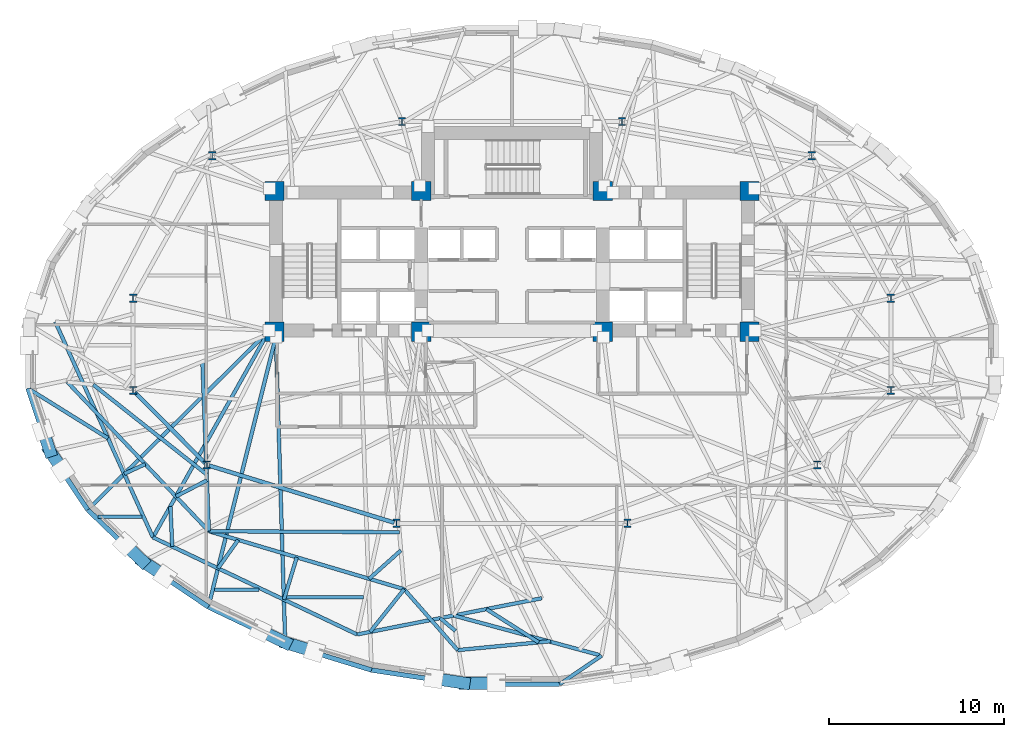
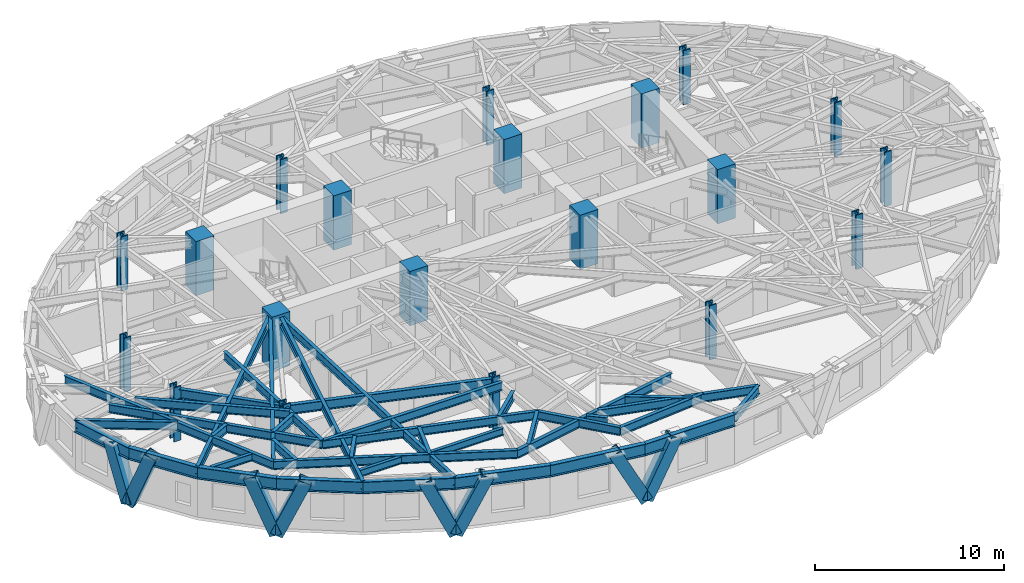
# One storey, part 1 of 14: 39 beams, 20 columns, 8 members.
"""IFC4 building model written with IfcOpenShell, lengths in metres."""

import ifcopenshell
import ifcopenshell.guid

model = None  # the IFC model being written
_history = None  # IfcOwnerHistory: only IFC2X3 demands one
_inside = {}  # id of a spatial element -> (the spatial element, [elements in it])
_under = {}  # id of a project, library or spatial element -> (it, [spatial elements below it])
_declared = {}  # id of a project -> (the project, [libraries it declares])
_typed = {}  # id of a type object -> (the type object, [elements of that type])
_made_of = {}  # id of a material, layer set ... -> (it, [elements and type objects made of it])


def new_model(schema):
    """Start an empty IFC model of exactly this schema.

    Asked for "IFC4X3", IfcOpenShell would pick the latest addendum, in which some entities
    have other attributes; the version numbers below select the first issue.
    IFC2X3 requires an IfcOwnerHistory on every rooted entity: one is made here for all.
    """
    global model, _history
    if schema == "IFC4X3":
        model = ifcopenshell.file(schema_version=(4, 3, 0, 0))
    else:
        model = ifcopenshell.file(schema=schema)
    _inside.clear()
    _under.clear()
    _declared.clear()
    _typed.clear()
    _made_of.clear()
    _history = None
    if model.schema == "IFC2X3":
        org = make("IfcOrganization", Name="unknown")
        user = make(
            "IfcPersonAndOrganization",
            ThePerson=make("IfcPerson", FamilyName="unknown"),
            TheOrganization=org,
        )
        app = make(
            "IfcApplication",
            ApplicationDeveloper=org,
            Version="unknown",
            ApplicationFullName="unknown",
            ApplicationIdentifier="unknown",
        )
        _history = make(
            "IfcOwnerHistory",
            OwningUser=user,
            OwningApplication=app,
            ChangeAction="ADDED",
            CreationDate=0,
        )
    return model


def make(cls, **values):
    """One entity of the class cls with the attributes given. An attribute that is None is left unset."""
    return model.create_entity(
        cls, **{name: value for name, value in values.items() if value is not None}
    )


def rooted(cls, **values):
    """An entity with a GlobalId (a new one), such as an element, a storey or a relation."""
    return make(cls, GlobalId=ifcopenshell.guid.new(), OwnerHistory=_history, **values)


def si_unit(unit_type, name, prefix=None):
    """IfcSIUnit, for example si_unit("LENGTHUNIT", "METRE", prefix="MILLI")."""
    return make("IfcSIUnit", UnitType=unit_type, Prefix=prefix, Name=name)


def assignment(units):
    """IfcUnitAssignment: the units of a project."""
    return None if units is None else make("IfcUnitAssignment", Units=units)


def point(xyz):
    """IfcCartesianPoint."""
    return None if xyz is None else make("IfcCartesianPoint", Coordinates=xyz)


def direction(xyz):
    """IfcDirection."""
    return None if xyz is None else make("IfcDirection", DirectionRatios=xyz)


def frame(location, z_axis=None, x_axis=None):
    """IfcAxis2Placement3D, a coordinate frame: its origin and axes. An axis left out is left unset."""
    return make(
        "IfcAxis2Placement3D",
        Location=point(location),
        Axis=direction(z_axis),
        RefDirection=direction(x_axis),
    )


def frame_2d(location, x_axis=None):
    """IfcAxis2Placement2D, a coordinate frame in the plane: its origin and x axis."""
    return make(
        "IfcAxis2Placement2D", Location=point(location), RefDirection=direction(x_axis)
    )


def origin():
    """The frame at (0, 0, 0) with its axes left unset."""
    return frame((0.0, 0.0, 0.0))


def origin_2d():
    """The frame at (0, 0) in the plane with its x axis left unset."""
    return frame_2d((0.0, 0.0))


def place(relative_to, where):
    """IfcLocalPlacement: puts the frame where relative to a parent placement (None: the world)."""
    return make(
        "IfcLocalPlacement", PlacementRelTo=relative_to, RelativePlacement=where
    )


def context(
    kind, dimensions, precision=None, world=None, true_north=None, identifier=None
):
    """IfcGeometricRepresentationContext, for example the 3D "Model" context."""
    return make(
        "IfcGeometricRepresentationContext",
        ContextIdentifier=identifier,
        ContextType=kind,
        CoordinateSpaceDimension=dimensions,
        Precision=precision,
        WorldCoordinateSystem=world,
        TrueNorth=true_north,
    )


def subcontext(parent, identifier, kind, view, scale=None):
    """IfcGeometricRepresentationSubContext, for example "Body" below "Model"."""
    return make(
        "IfcGeometricRepresentationSubContext",
        ContextIdentifier=identifier,
        ContextType=kind,
        ParentContext=parent,
        TargetScale=scale,
        TargetView=view,
    )


def project(units=None, contexts=None):
    """IfcProject with its units and contexts."""
    return rooted(
        "IfcProject",
        Name="project",
        RepresentationContexts=contexts,
        UnitsInContext=assignment(units),
    )


def spatial(cls, under=None, at=None, **own):
    """A site, building, storey or space (cls), placed at a placement, below another one or the project."""
    s = rooted(cls, ObjectPlacement=at, **own)
    if under is not None:
        _under.setdefault(under.id(), (under, []))[1].append(s)
    return s


def profile(cls, at=None, kind="AREA", **sizes):
    """A parametric profile (cls). Its sizes go by their IFC names, for example OverallWidth=200.0."""
    return make(cls, ProfileType=kind, Position=at, **sizes)


def rectangle(**sizes):
    """IfcRectangleProfileDef."""
    return profile("IfcRectangleProfileDef", **sizes)


def hollow_rectangle(**sizes):
    """IfcRectangleHollowProfileDef."""
    return profile("IfcRectangleHollowProfileDef", **sizes)


def i_section(**sizes):
    """IfcIShapeProfileDef."""
    return profile("IfcIShapeProfileDef", **sizes)


def extrude(swept, where, along, depth):
    """IfcExtrudedAreaSolid: the profile swept, set in the frame where, extruded along a direction by depth."""
    return make(
        "IfcExtrudedAreaSolid",
        SweptArea=swept,
        Position=where,
        ExtrudedDirection=direction(along),
        Depth=depth,
    )


def shape(context_of_items, identifier, shape_type, items):
    """IfcShapeRepresentation: the items that make up one representation, for example the "Body"."""
    return make(
        "IfcShapeRepresentation",
        ContextOfItems=context_of_items,
        RepresentationIdentifier=identifier,
        RepresentationType=shape_type,
        Items=items,
    )


def material(Name=None, Category=None):
    """IfcMaterial."""
    return make("IfcMaterial", Name=Name, Category=Category)


def material_profile(
    of_material, cross_section, Name=None, Category=None, Priority=None
):
    """IfcMaterialProfile: a cross section and its material."""
    return make(
        "IfcMaterialProfile",
        Name=Name,
        Material=of_material,
        Profile=cross_section,
        Priority=Priority,
        Category=Category,
    )


def profile_set(profiles, Name=None, composite=None):
    """IfcMaterialProfileSet."""
    return make(
        "IfcMaterialProfileSet",
        Name=Name,
        MaterialProfiles=profiles,
        CompositeProfile=composite,
    )


def made_of(thing, what):
    """Note that an element or type object is made of a material, layer set ...; save() writes the relation."""
    if what is not None:
        _made_of.setdefault(what.id(), (what, []))[1].append(thing)
    return thing


def type_object(cls, material=None, **own):
    """A type object (cls), such as IfcWallType, which elements share."""
    return made_of(rooted(cls, **own), material)


def element(
    cls,
    number,
    at=None,
    inside=None,
    cuts=None,
    type_object=None,
    material=None,
    context=None,
    identifier="Body",
    shape_type=None,
    held_by="IfcProductDefinitionShape",
    body=None,
    shapes=None,
    **own,
):
    """One element of the class cls, such as IfcWall. Its Tag is "e" and its number.

    at: its placement. inside: the storey or other place that contains it. cuts: it is an
    opening in that element (IfcRelVoidsElement). A single representation is given by context,
    identifier, shape_type and body (its items); several are given by shapes. held_by: the class
    of the entity that holds the representations. save() writes the other relations.
    """
    e = rooted(cls, Tag="e%d" % number, ObjectPlacement=at, **own)
    if body is not None:
        shapes = [shape(context, identifier, shape_type, body)]
    if shapes is not None:
        e.Representation = make(held_by, Representations=shapes)
    if inside is not None:
        _inside.setdefault(inside.id(), (inside, []))[1].append(e)
    if cuts is not None:
        rooted(
            "IfcRelVoidsElement", RelatingBuildingElement=cuts, RelatedOpeningElement=e
        )
    if type_object is not None:
        _typed.setdefault(type_object.id(), (type_object, []))[1].append(e)
    return made_of(e, material)


def aggregate(whole, parts):
    """IfcRelAggregates: a whole, such as a stair, and the parts it consists of."""
    return rooted("IfcRelAggregates", RelatingObject=whole, RelatedObjects=parts)


def save(model, path):
    """Write the relations noted so far, then the file.

    IfcRelAggregates (storeys below a building ...), IfcRelContainedInSpatialStructure (elements
    in a storey), IfcRelDefinesByType, IfcRelAssociatesMaterial and IfcRelDeclares: one each for
    every whole, place, type object, material and project.
    """
    for whole, parts in _under.values():
        aggregate(whole, parts)
    for where, things in _inside.values():
        rooted(
            "IfcRelContainedInSpatialStructure",
            RelatedElements=things,
            RelatingStructure=where,
        )
    for kind, things in _typed.values():
        rooted("IfcRelDefinesByType", RelatedObjects=things, RelatingType=kind)
    for what, things in _made_of.values():
        rooted("IfcRelAssociatesMaterial", RelatedObjects=things, RelatingMaterial=what)
    for by, libraries in _declared.values():
        rooted("IfcRelDeclares", RelatingContext=by, RelatedDefinitions=libraries)
    model.write(path)


model = new_model("IFC4")

# Units and contexts
model_context = context("Model", 3, precision=1e-05, world=origin(), true_north=direction((0.0, 1.0)))
body_context = subcontext(model_context, "Body", "Model", "MODEL_VIEW")
ifc_project = project(units=[si_unit("LENGTHUNIT", "METRE"), si_unit("AREAUNIT", "SQUARE_METRE"), si_unit("VOLUMEUNIT", "CUBIC_METRE"), si_unit("PLANEANGLEUNIT", "RADIAN"), si_unit("MASSUNIT", "GRAM", prefix="KILO")], contexts=[model_context])

# Site, building, storey
site_placement = place(None, origin())
site = spatial("IfcSite", under=ifc_project, at=site_placement, CompositionType="ELEMENT")
building_placement = place(site_placement, origin())
building = spatial("IfcBuilding", under=site, at=building_placement, Name="Keldmark Tower", CompositionType="ELEMENT")
storey_placement = place(building_placement, frame((0.0, 0.0, 103.60009765625)))
storey = spatial("IfcBuildingStorey", under=building, at=storey_placement, Name="L27", CompositionType="ELEMENT", Elevation=103.60009765625)

# Columns
ifc_material_1 = material(Name="Concrete C70/85", Category="concrete")
ifc_material_profile_1 = material_profile(ifc_material_1, rectangle(XDim=1.10009765625, YDim=1.10009765625, at=origin_2d()), Name="RC1100X1100")
ifc_profile_set_1 = profile_set([ifc_material_profile_1], Name="Concrete C70/85")
column_type_1 = type_object("IfcColumnType", Name="Core Boundary Column RC1100", PredefinedType="COLUMN", material=ifc_profile_set_1)
for number, where, z_axis, x_axis, name in (
    (1, (-13.60009765625, 1.39990234375, 0.0), (0.0, 0.0, 1.0), (1.0, 0.0, 0.0), "L27 Core Boundary Column CC-W1"),
    (2, (-13.60009765625, 9.449951171875, 0.0), (0.0, 0.0, 1.0), (1.0, 0.0, 0.0), "L27 Core Boundary Column CC-W2"),
    (3, (-5.199951171875, 1.39990234375, 0.0), (0.0, 0.0, 1.0), (1.0, 0.0, 0.0), "L27 Core Boundary Column CC-W3"),
    (4, (-5.199951171875, 9.449951171875, 0.0), (0.0, 0.0, 1.0), (1.0, 0.0, 0.0), "L27 Core Boundary Column CC-W4"),
    (5, (5.199951171875, 1.39990234375, 0.0), (0.0, 0.0, 1.0), (1.0, 0.0, 0.0), "L27 Core Boundary Column CC-E1"),
    (6, (5.199951171875, 9.449951171875, 0.0), (0.0, 0.0, 1.0), (1.0, 0.0, 0.0), "L27 Core Boundary Column CC-E2"),
    (7, (13.60009765625, 1.39990234375, 0.0), (0.0, 0.0, 1.0), (1.0, 0.0, 0.0), "L27 Core Boundary Column CC-E3"),
    (8, (13.60009765625, 9.449951171875, 0.0), (0.0, 0.0, 1.0), (1.0, 0.0, 0.0), "L27 Core Boundary Column CC-E4"),
):
    element("IfcColumn", number, at=place(storey_placement, frame(where, z_axis=z_axis, x_axis=x_axis)), inside=storey, type_object=column_type_1, Name=name, PredefinedType="COLUMN", context=body_context, shape_type="SweptSolid", body=[
        extrude(rectangle(XDim=1.10009765625, YDim=1.10009765625, at=origin_2d()), origin(), (0.0, 0.0, 1.0), 3.5),
    ])
ifc_material_2 = material(Name="Steel ASTM A992 Grade 50", Category="steel")
ifc_material_profile_2 = material_profile(ifc_material_2, i_section(OverallWidth=0.424072265625, OverallDepth=0.47412109375, WebThickness=0.047607421875, FlangeThickness=0.0771484375, at=origin_2d()), Name="W14X426")
ifc_profile_set_2 = profile_set([ifc_material_profile_2], Name="Steel ASTM A992 Grade 50")
column_type_2 = type_object("IfcColumnType", Name="Tower Gravity Column W14X426", PredefinedType="COLUMN", material=ifc_profile_set_2)
for number, where, z_axis, x_axis, name in (
    (9, (21.697021484375, 3.309814453125, 0.0), (0.0, 0.0, 1.0), (1.0, 0.0, 0.0), "L27 Tower Gravity Column TC-E1"),
    (10, (17.1669921875, 11.478271484375, 0.0), (0.0, 0.0, 1.0), (1.0, 0.0, 0.0), "L27 Tower Gravity Column TC-E4"),
    (11, (6.298828125, 13.4326171875, 0.0), (0.0, 0.0, 1.0), (1.0, 0.0, 0.0), "L27 Tower Gravity Column TC-N2"),
    (12, (-6.298828125, 13.4326171875, 0.0), (0.0, 0.0, 1.0), (1.0, 0.0, 0.0), "L27 Tower Gravity Column TC-N1"),
    (13, (-17.1669921875, 11.478271484375, 0.0), (0.0, 0.0, 1.0), (1.0, 0.0, 0.0), "L27 Tower Gravity Column TC-W4"),
    (14, (-21.697021484375, 3.309814453125, 0.0), (0.0, 0.0, 1.0), (1.0, 0.0, 0.0), "L27 Tower Gravity Column TC-W1"),
    (15, (-21.697021484375, -1.9658203125, 0.0), (0.0, 0.0, 1.0), (1.0, 0.0, 0.0), "L27 Tower Gravity Column TC-W5"),
    (16, (-17.477294921875, -6.2294921875, 0.0), (0.0, 0.0, 1.0), (1.0, 0.0, 0.0), "L27 Tower Gravity Column TC-W2"),
    (17, (-6.61279296875, -9.579345703125, 0.0), (0.0, 0.0, 1.0), (1.0, 0.0, 0.0), "L27 Tower Gravity Column TC-W3"),
    (18, (6.61279296875, -9.579345703125, 0.0), (0.0, 0.0, 1.0), (1.0, 0.0, 0.0), "L27 Tower Gravity Column TC-E3"),
    (19, (17.477294921875, -6.2294921875, 0.0), (0.0, 0.0, 1.0), (1.0, 0.0, 0.0), "L27 Tower Gravity Column TC-E2"),
    (20, (21.697021484375, -1.9658203125, 0.0), (0.0, 0.0, 1.0), (1.0, 0.0, 0.0), "L27 Tower Gravity Column TC-E5"),
):
    element("IfcColumn", number, at=place(storey_placement, frame(where, z_axis=z_axis, x_axis=x_axis)), inside=storey, type_object=column_type_2, Name=name, PredefinedType="COLUMN", context=body_context, shape_type="SweptSolid", body=[
        extrude(i_section(OverallWidth=0.424072265625, OverallDepth=0.47412109375, WebThickness=0.047607421875, FlangeThickness=0.0771484375, at=origin_2d()), origin(), (0.0, 0.0, 1.0), 3.5),
    ])

# Beams
ifc_material_3 = material(Name="Steel ASTM A992 Grade 50", Category="steel")
ifc_material_profile_3 = material_profile(ifc_material_3, i_section(OverallWidth=0.19091796875, OverallDepth=0.45703125, WebThickness=0.009033203125, FlangeThickness=0.014404296875, at=origin_2d()), Name="W18X50")
ifc_profile_set_3 = profile_set([ifc_material_profile_3], Name="Steel ASTM A992 Grade 50")
beam_type_1 = type_object("IfcBeamType", Name="Composite Floor Joist W18X50", PredefinedType="JOIST", material=ifc_profile_set_3)
beam_1_placement = place(storey_placement, frame((-17.044677734375, -13.3798828125, 3.081298828125), z_axis=(1.0, 0.0, 0.0), x_axis=(0.0, 1.0, 0.0)))
element("IfcBeam", 21, at=beam_1_placement, inside=storey, type_object=beam_type_1, Name="L27 Composite Floor Joist J01", PredefinedType="JOIST", context=body_context, shape_type="SweptSolid", body=[
    extrude(i_section(OverallWidth=0.19091796875, OverallDepth=0.45703125, WebThickness=0.009033203125, FlangeThickness=0.014404296875, at=origin_2d()), origin(), (0.0, 0.0, 1.0), 2.5625),
])
beam_2_placement = place(storey_placement, frame((-12.91748046875, -13.800048828125, 3.081298828125), z_axis=(1.0, 0.0, 0.0), x_axis=(0.0, 1.0, 0.0)))
element("IfcBeam", 22, at=beam_2_placement, inside=storey, type_object=beam_type_1, Name="L27 Composite Floor Joist J02", PredefinedType="JOIST", context=body_context, shape_type="SweptSolid", body=[
    extrude(i_section(OverallWidth=0.19091796875, OverallDepth=0.45703125, WebThickness=0.009033203125, FlangeThickness=0.014404296875, at=origin_2d()), origin(), (0.0, 0.0, 1.0), 4.411376953125),
])
beam_3_placement = place(storey_placement, frame((-23.697265625, -9.199951171875, 3.081298828125), z_axis=(1.0, 0.0, 0.0), x_axis=(0.0, 1.0, 0.0)))
element("IfcBeam", 23, at=beam_3_placement, inside=storey, type_object=beam_type_1, Name="L27 Composite Floor Joist J03", PredefinedType="JOIST", context=body_context, shape_type="SweptSolid", body=[
    extrude(i_section(OverallWidth=0.19091796875, OverallDepth=0.45703125, WebThickness=0.009033203125, FlangeThickness=0.014404296875, at=origin_2d()), origin(), (0.0, 0.0, 1.0), 2.493896484375),
])

# Members
ifc_material_4 = material(Name="Steel ASTM A572 Grade 50", Category="steel")
ifc_material_profile_4 = material_profile(ifc_material_4, hollow_rectangle(XDim=0.699951171875, YDim=0.699951171875, WallThickness=0.044921875, at=origin_2d()), Name="BOX700X700X45")
ifc_profile_set_4 = profile_set([ifc_material_profile_4], Name="Steel ASTM A572 Grade 50")
member_type = type_object("IfcMemberType", Name="Diagrid Zone 2 Brace BOX700X700X45", PredefinedType="BRACE", material=ifc_profile_set_4)
member_1_placement = place(storey_placement, frame((-26.462890625, -5.4482421875, -0.27001953125), z_axis=(-0.107952872963, 0.326045509503, 0.939170113958), x_axis=(-0.94931811266, -0.314316911692, 0.0)))
element("IfcMember", 24, at=member_1_placement, inside=storey, type_object=member_type, Name="L27 Perimeter Diagrid Brace 09A", PredefinedType="BRACE", context=body_context, shape_type="SweptSolid", body=[
    extrude(hollow_rectangle(XDim=0.699951171875, YDim=0.699951171875, WallThickness=0.044921875, at=origin_2d()), origin(), (0.0, 0.0, 1.0), 3.68408203125),
])
member_2_placement = place(storey_placement, frame((-26.46533203125, -5.436767578125, -0.27001953125), z_axis=(0.200341239284, -0.300742136213, 0.932425629929), x_axis=(0.832246318765, 0.554406046957, 0.0)))
element("IfcMember", 25, at=member_2_placement, inside=storey, type_object=member_type, Name="L27 Perimeter Diagrid Brace 09B", PredefinedType="BRACE", context=body_context, shape_type="SweptSolid", body=[
    extrude(hollow_rectangle(XDim=0.699951171875, YDim=0.699951171875, WallThickness=0.044921875, at=origin_2d()), origin(), (0.0, 0.0, 1.0), 3.710693359375),
])
member_3_placement = place(storey_placement, frame((-21.13671875, -11.76025390625, -0.27001953125), z_axis=(-0.276144933571, 0.265716991779, 0.923654944199), x_axis=(-0.693370375166, -0.720581378362, 0.0)))
element("IfcMember", 26, at=member_3_placement, inside=storey, type_object=member_type, Name="L27 Perimeter Diagrid Brace 10A", PredefinedType="BRACE", context=body_context, shape_type="SweptSolid", body=[
    extrude(hollow_rectangle(XDim=0.699951171875, YDim=0.699951171875, WallThickness=0.044921875, at=origin_2d()), origin(), (0.0, 0.0, 1.0), 3.745849609375),
])
member_4_placement = place(storey_placement, frame((-21.143310546875, -11.75048828125, -0.27001953125), z_axis=(0.334798050685, -0.226898601813, 0.914563988878), x_axis=(0.561017482362, 0.827803952928, 0.0)))
element("IfcMember", 27, at=member_4_placement, inside=storey, type_object=member_type, Name="L27 Perimeter Diagrid Brace 10B", PredefinedType="BRACE", context=body_context, shape_type="SweptSolid", body=[
    extrude(hollow_rectangle(XDim=0.699951171875, YDim=0.699951171875, WallThickness=0.044921875, at=origin_2d()), origin(), (0.0, 0.0, 1.0), 3.783203125),
])
member_5_placement = place(storey_placement, frame((-12.94677734375, -16.421630859375, -0.27001953125), z_axis=(-0.384014962148, 0.183387258279, 0.904931832984), x_axis=(-0.430935108563, -0.902382918836, 0.0)))
element("IfcMember", 28, at=member_5_placement, inside=storey, type_object=member_type, Name="L27 Perimeter Diagrid Brace 11A", PredefinedType="BRACE", context=body_context, shape_type="SweptSolid", body=[
    extrude(hollow_rectangle(XDim=0.699951171875, YDim=0.699951171875, WallThickness=0.044921875, at=origin_2d()), origin(), (0.0, 0.0, 1.0), 3.823486328125),
])
member_6_placement = place(storey_placement, frame((-12.95654296875, -16.415283203125, -0.27001953125), z_axis=(0.426031471632, -0.13032368416, 0.89527254092), x_axis=(0.292521121678, 0.956259061851, 0.0)))
element("IfcMember", 29, at=member_6_placement, inside=storey, type_object=member_type, Name="L27 Perimeter Diagrid Brace 11B", PredefinedType="BRACE", context=body_context, shape_type="SweptSolid", body=[
    extrude(hollow_rectangle(XDim=0.699951171875, YDim=0.699951171875, WallThickness=0.044921875, at=origin_2d()), origin(), (0.0, 0.0, 1.0), 3.86474609375),
])
member_7_placement = place(storey_placement, frame((-2.71240234375, -18.73095703125, -0.27001953125), z_axis=(-0.454742835075, 0.069170031679, 0.887932689265), x_axis=(-0.150378326098, -0.98862852429, 0.0)))
element("IfcMember", 30, at=member_7_placement, inside=storey, type_object=member_type, Name="L27 Perimeter Diagrid Brace 12A", PredefinedType="BRACE", context=body_context, shape_type="SweptSolid", body=[
    extrude(hollow_rectangle(XDim=0.699951171875, YDim=0.699951171875, WallThickness=0.044921875, at=origin_2d()), origin(), (0.0, 0.0, 1.0), 3.896728515625),
])
member_8_placement = place(storey_placement, frame((-2.723876953125, -18.728759765625, -0.27001953125), z_axis=(0.465504471346, 0.0, 0.885045528296), x_axis=(0.0, 1.0, 0.0)))
element("IfcMember", 31, at=member_8_placement, inside=storey, type_object=member_type, Name="L27 Perimeter Diagrid Brace 12B", PredefinedType="BRACE", context=body_context, shape_type="SweptSolid", body=[
    extrude(hollow_rectangle(XDim=0.699951171875, YDim=0.699951171875, WallThickness=0.044921875, at=origin_2d()), origin(), (0.0, 0.0, 1.0), 3.909423828125),
])

# Beams
ifc_material_5 = material(Name="Steel ASTM A992 Grade 50", Category="steel")
ifc_material_profile_5 = material_profile(ifc_material_5, i_section(OverallWidth=0.22900390625, OverallDepth=0.612060546875, WebThickness=0.011962890625, FlangeThickness=0.01953125, at=origin_2d()), Name="W24X84")
ifc_profile_set_5 = profile_set([ifc_material_profile_5], Name="Steel ASTM A992 Grade 50")
beam_type_2 = type_object("IfcBeamType", Name="Primary Floor Girder W24X84", PredefinedType="BEAM", material=ifc_profile_set_5)
beam_4_placement = place(storey_placement, frame((-21.598388671875, -2.0654296875, 3.00390625), z_axis=(0.703425791323, -0.71076870788, 0.0), x_axis=(0.71076870788, 0.703425791323, 0.0)))
element("IfcBeam", 32, at=beam_4_placement, inside=storey, type_object=beam_type_2, Name="L27 Floor Ring Girder FG-R07", PredefinedType="BEAM", context=body_context, shape_type="SweptSolid", body=[
    extrude(i_section(OverallWidth=0.22900390625, OverallDepth=0.612060546875, WebThickness=0.011962890625, FlangeThickness=0.01953125, at=origin_2d()), origin(), (0.0, 0.0, 1.0), 5.71875),
])
beam_5_placement = place(storey_placement, frame((-17.343505859375, -6.270751953125, 3.00390625), z_axis=(0.955607954968, -0.294641199432, 0.0), x_axis=(0.294641199432, 0.955607954968, 0.0)))
element("IfcBeam", 33, at=beam_5_placement, inside=storey, type_object=beam_type_2, Name="L27 Floor Ring Girder FG-R08", PredefinedType="BEAM", context=body_context, shape_type="SweptSolid", body=[
    extrude(i_section(OverallWidth=0.22900390625, OverallDepth=0.612060546875, WebThickness=0.011962890625, FlangeThickness=0.01953125, at=origin_2d()), origin(), (0.0, 0.0, 1.0), 11.089111328125),
])
ifc_material_6 = material(Name="Steel ASTM A992 Grade 50", Category="steel")
ifc_material_profile_6 = material_profile(ifc_material_6, i_section(OverallWidth=0.2099609375, OverallDepth=0.537109375, WebThickness=0.010986328125, FlangeThickness=0.017333984375, at=origin_2d()), Name="W21X68")
ifc_profile_set_6 = profile_set([ifc_material_profile_6], Name="Steel ASTM A992 Grade 50")
beam_type_3 = type_object("IfcBeamType", Name="Radial Tie Girder W21X68", PredefinedType="BEAM", material=ifc_profile_set_6)
beam_6_placement = place(storey_placement, frame((-23.97900390625, -1.637939453125, 3.04150390625), z_axis=(0.78414802779, -0.62057382358, 0.0), x_axis=(0.62057382358, 0.78414802779, 0.0)))
element("IfcBeam", 34, at=beam_6_placement, inside=storey, type_object=beam_type_3, Name="L27 Framing Pin Header PH-005", PredefinedType="BEAM", context=body_context, shape_type="SweptSolid", body=[
    extrude(i_section(OverallWidth=0.2099609375, OverallDepth=0.537109375, WebThickness=0.010986328125, FlangeThickness=0.017333984375, at=origin_2d()), origin(), (0.0, 0.0, 1.0), 8.281982421875),
])
beam_7_placement = place(storey_placement, frame((-17.7314453125, -0.3173828125, 3.04150390625), z_axis=(0.038214090549, -0.999269574881, 0.0), x_axis=(0.999269574881, 0.038214090549, 0.0)))
element("IfcBeam", 35, at=beam_7_placement, inside=storey, type_object=beam_type_3, Name="L27 Sub-Ring Step Girder STP1-M08", PredefinedType="BEAM", context=body_context, shape_type="SweptSolid", body=[
    extrude(i_section(OverallWidth=0.2099609375, OverallDepth=0.537109375, WebThickness=0.010986328125, FlangeThickness=0.017333984375, at=origin_2d()), origin(), (0.0, 0.0, 1.0), 9.71728515625),
])
beam_8_placement = place(storey_placement, frame((-17.360107421875, -10.027587890625, 3.04150390625), z_axis=(0.999986059239, -0.005280277218, 0.0), x_axis=(0.005280277218, 0.999986059239, 0.0)))
element("IfcBeam", 36, at=beam_8_placement, inside=storey, type_object=beam_type_3, Name="L27 Framing Pin Header PH-006", PredefinedType="BEAM", context=body_context, shape_type="SweptSolid", body=[
    extrude(i_section(OverallWidth=0.2099609375, OverallDepth=0.537109375, WebThickness=0.010986328125, FlangeThickness=0.017333984375, at=origin_2d()), origin(), (0.0, 0.0, 1.0), 10.911865234375),
])
beam_9_placement = place(storey_placement, frame((-25.46142578125, -1.48681640625, 3.04150390625), z_axis=(0.688194938593, -0.725525827586, 0.0), x_axis=(0.725525827586, 0.688194938593, 0.0)))
element("IfcBeam", 37, at=beam_9_placement, inside=storey, type_object=beam_type_3, Name="L27 Perimeter Collector Ring Beam CRG1-M07", PredefinedType="BEAM", context=body_context, shape_type="SweptSolid", body=[
    extrude(i_section(OverallWidth=0.2099609375, OverallDepth=0.537109375, WebThickness=0.010986328125, FlangeThickness=0.017333984375, at=origin_2d()), origin(), (0.0, 0.0, 1.0), 11.771728515625),
])
beam_10_placement = place(storey_placement, frame((-17.360107421875, -10.027587890625, 3.04150390625), z_axis=(0.958614481786, -0.284707350293, 0.0), x_axis=(0.284707350293, 0.958614481786, 0.0)))
element("IfcBeam", 38, at=beam_10_placement, inside=storey, type_object=beam_type_3, Name="L27 Perimeter Collector Ring Beam CRG1-M08", PredefinedType="BEAM", context=body_context, shape_type="SweptSolid", body=[
    extrude(i_section(OverallWidth=0.2099609375, OverallDepth=0.537109375, WebThickness=0.010986328125, FlangeThickness=0.017333984375, at=origin_2d()), origin(), (0.0, 0.0, 1.0), 11.668212890625),
])
beam_11_placement = place(storey_placement, frame((-17.4716796875, -7.114501953125, 3.04150390625), z_axis=(-0.887240764754, -0.461306650027, 0.0), x_axis=(0.461306650027, -0.887240764754, 0.0)))
element("IfcBeam", 39, at=beam_11_placement, inside=storey, type_object=beam_type_3, Name="L27 Framing Pin Header PH-011", PredefinedType="BEAM", context=body_context, shape_type="SweptSolid", body=[
    extrude(i_section(OverallWidth=0.2099609375, OverallDepth=0.537109375, WebThickness=0.010986328125, FlangeThickness=0.017333984375, at=origin_2d()), origin(), (0.0, 0.0, 1.0), 2.00146484375),
])
beam_12_placement = place(storey_placement, frame((-13.89990234375, 1.47509765625, 3.04150390625), z_axis=(-0.490020847503, -0.871710714063, 0.0), x_axis=(0.871710714063, -0.490020847503, 0.0)))
element("IfcBeam", 40, at=beam_12_placement, inside=storey, type_object=beam_type_3, Name="L27 Sub-Ring Step Girder STP2-M08", PredefinedType="BEAM", context=body_context, shape_type="SweptSolid", body=[
    extrude(i_section(OverallWidth=0.2099609375, OverallDepth=0.537109375, WebThickness=0.010986328125, FlangeThickness=0.017333984375, at=origin_2d()), origin(), (0.0, 0.0, 1.0), 13.5986328125),
])
beam_13_placement = place(storey_placement, frame((-6.361328125, -11.1259765625, 3.04150390625), z_axis=(-0.745675120469, -0.666309698799, 0.0), x_axis=(0.666309698799, -0.745675120469, 0.0)))
element("IfcBeam", 41, at=beam_13_placement, inside=storey, type_object=beam_type_3, Name="L27 Framing Pin Header PH-012", PredefinedType="BEAM", context=body_context, shape_type="SweptSolid", body=[
    extrude(i_section(OverallWidth=0.2099609375, OverallDepth=0.537109375, WebThickness=0.010986328125, FlangeThickness=0.017333984375, at=origin_2d()), origin(), (0.0, 0.0, 1.0), 2.4423828125),
])
beam_14_placement = place(storey_placement, frame((-26.153076171875, 1.956787109375, 3.04150390625), z_axis=(0.412729676036, -0.910853563708, 0.0), x_axis=(0.910853563708, 0.412729676036, 0.0)))
element("IfcBeam", 42, at=beam_14_placement, inside=storey, type_object=beam_type_3, Name="L27 Perimeter Collector Ring Beam CRG2-M07", PredefinedType="BEAM", context=body_context, shape_type="SweptSolid", body=[
    extrude(i_section(OverallWidth=0.2099609375, OverallDepth=0.537109375, WebThickness=0.010986328125, FlangeThickness=0.017333984375, at=origin_2d()), origin(), (0.0, 0.0, 1.0), 13.54296875),
])
beam_15_placement = place(storey_placement, frame((-20.5634765625, -10.37890625, 3.04150390625), z_axis=(0.903101524263, -0.429427103097, 0.0), x_axis=(0.429427103097, 0.903101524263, 0.0)))
element("IfcBeam", 43, at=beam_15_placement, inside=storey, type_object=beam_type_3, Name="L27 Perimeter Collector Ring Beam CRG2-M08", PredefinedType="BEAM", context=body_context, shape_type="SweptSolid", body=[
    extrude(i_section(OverallWidth=0.2099609375, OverallDepth=0.537109375, WebThickness=0.010986328125, FlangeThickness=0.017333984375, at=origin_2d()), origin(), (0.0, 0.0, 1.0), 12.949951171875),
])
beam_16_placement = place(storey_placement, frame((-8.868408203125, -15.93994140625, 3.04150390625), z_axis=(0.98130074481, 0.192480773677, 0.0), x_axis=(-0.192480773677, 0.98130074481, 0.0)))
element("IfcBeam", 44, at=beam_16_placement, inside=storey, type_object=beam_type_3, Name="L27 Perimeter Collector Ring Beam CRG2-M09", PredefinedType="BEAM", context=body_context, shape_type="SweptSolid", body=[
    extrude(i_section(OverallWidth=0.2099609375, OverallDepth=0.537109375, WebThickness=0.010986328125, FlangeThickness=0.017333984375, at=origin_2d()), origin(), (0.0, 0.0, 1.0), 10.77490234375),
])
beam_17_placement = place(storey_placement, frame((-27.7158203125, -1.8505859375, 3.04150390625), z_axis=(0.848744482282, -0.528803180584, 0.0), x_axis=(0.528803180584, 0.848744482282, 0.0)))
element("IfcBeam", 45, at=beam_17_placement, inside=storey, type_object=beam_type_3, Name="L27 Framing Pin Header PH-026", PredefinedType="BEAM", context=body_context, shape_type="SweptSolid", body=[
    extrude(i_section(OverallWidth=0.2099609375, OverallDepth=0.537109375, WebThickness=0.010986328125, FlangeThickness=0.017333984375, at=origin_2d()), origin(), (0.0, 0.0, 1.0), 5.39794921875),
])
beam_18_placement = place(storey_placement, frame((-21.005615234375, -6.18408203125, 3.04150390625), z_axis=(-0.907059096304, -0.421003320428, 0.0), x_axis=(0.421003320428, -0.907059096304, 0.0)))
element("IfcBeam", 46, at=beam_18_placement, inside=storey, type_object=beam_type_3, Name="L27 Framing Pin Header PH-027", PredefinedType="BEAM", context=body_context, shape_type="SweptSolid", body=[
    extrude(i_section(OverallWidth=0.2099609375, OverallDepth=0.537109375, WebThickness=0.010986328125, FlangeThickness=0.017333984375, at=origin_2d()), origin(), (0.0, 0.0, 1.0), 1.32861328125),
])
beam_19_placement = place(storey_placement, frame((-13.89990234375, 1.47509765625, 3.04150390625), z_axis=(-0.711046002609, -0.703145491469, 0.0), x_axis=(0.703145491469, -0.711046002609, 0.0)))
element("IfcBeam", 47, at=beam_19_placement, inside=storey, type_object=beam_type_3, Name="L27 Perimeter Radial Tie Girder RT-19", PredefinedType="BEAM", context=body_context, shape_type="SweptSolid", body=[
    extrude(i_section(OverallWidth=0.2099609375, OverallDepth=0.537109375, WebThickness=0.010986328125, FlangeThickness=0.017333984375, at=origin_2d()), origin(), (0.0, 0.0, 1.0), 14.61669921875),
])
beam_20_placement = place(storey_placement, frame((-19.56396484375, -8.6005859375, 3.04150390625), z_axis=(0.046458943525, -0.9989202003, 0.0), x_axis=(0.9989202003, 0.046458943525, 0.0)))
element("IfcBeam", 48, at=beam_20_placement, inside=storey, type_object=beam_type_3, Name="L27 Framing Pin Header PH-028", PredefinedType="BEAM", context=body_context, shape_type="SweptSolid", body=[
    extrude(i_section(OverallWidth=0.2099609375, OverallDepth=0.537109375, WebThickness=0.010986328125, FlangeThickness=0.017333984375, at=origin_2d()), origin(), (0.0, 0.0, 1.0), 2.306884765625),
])
beam_21_placement = place(storey_placement, frame((-15.682373046875, -10.52587890625, 3.04150390625), z_axis=(-0.579104315433, -0.815253452521, 0.0), x_axis=(0.815253452521, -0.579104315433, 0.0)))
element("IfcBeam", 49, at=beam_21_placement, inside=storey, type_object=beam_type_3, Name="L27 Framing Pin Header PH-029", PredefinedType="BEAM", context=body_context, shape_type="SweptSolid", body=[
    extrude(i_section(OverallWidth=0.2099609375, OverallDepth=0.537109375, WebThickness=0.010986328125, FlangeThickness=0.017333984375, at=origin_2d()), origin(), (0.0, 0.0, 1.0), 1.9931640625),
])
beam_22_placement = place(storey_placement, frame((-13.52490234375, 1.10009765625, 3.04150390625), z_axis=(-0.242470755884, -0.970158715129, 0.0), x_axis=(0.970158715129, -0.242470755884, 0.0)))
element("IfcBeam", 50, at=beam_22_placement, inside=storey, type_object=beam_type_3, Name="L27 Perimeter Radial Tie Girder RT-21", PredefinedType="BEAM", context=body_context, shape_type="SweptSolid", body=[
    extrude(i_section(OverallWidth=0.2099609375, OverallDepth=0.537109375, WebThickness=0.010986328125, FlangeThickness=0.017333984375, at=origin_2d()), origin(), (0.0, 0.0, 1.0), 15.93994140625),
])
beam_23_placement = place(storey_placement, frame((-12.326904296875, -11.5224609375, 3.04150390625), z_axis=(-0.290459536612, -0.956887275279, 0.0), x_axis=(0.956887275279, -0.290459536612, 0.0)))
element("IfcBeam", 51, at=beam_23_placement, inside=storey, type_object=beam_type_3, Name="L27 Framing Pin Header PH-030", PredefinedType="BEAM", context=body_context, shape_type="SweptSolid", body=[
    extrude(i_section(OverallWidth=0.2099609375, OverallDepth=0.537109375, WebThickness=0.010986328125, FlangeThickness=0.017333984375, at=origin_2d()), origin(), (0.0, 0.0, 1.0), 2.532470703125),
])
beam_24_placement = place(storey_placement, frame((-13.52490234375, 1.10009765625, 3.04150390625), z_axis=(0.030725213616, -0.99952786917, 0.0), x_axis=(0.99952786917, 0.030725213616, 0.0)))
element("IfcBeam", 52, at=beam_24_placement, inside=storey, type_object=beam_type_3, Name="L27 Perimeter Radial Tie Girder RT-22", PredefinedType="BEAM", context=body_context, shape_type="SweptSolid", body=[
    extrude(i_section(OverallWidth=0.2099609375, OverallDepth=0.537109375, WebThickness=0.010986328125, FlangeThickness=0.017333984375, at=origin_2d()), origin(), (0.0, 0.0, 1.0), 17.576416015625),
])
beam_25_placement = place(storey_placement, frame((-6.1748046875, -13.349609375, 3.04150390625), z_axis=(-0.622920581585, -0.782285081692, 0.0), x_axis=(0.782285081692, -0.622920581585, 0.0)))
element("IfcBeam", 53, at=beam_25_placement, inside=storey, type_object=beam_type_3, Name="L27 Framing Pin Header PH-031", PredefinedType="BEAM", context=body_context, shape_type="SweptSolid", body=[
    extrude(i_section(OverallWidth=0.2099609375, OverallDepth=0.537109375, WebThickness=0.010986328125, FlangeThickness=0.017333984375, at=origin_2d()), origin(), (0.0, 0.0, 1.0), 3.123779296875),
])
beam_26_placement = place(storey_placement, frame((-6.1748046875, -13.349609375, 3.04150390625), z_axis=(0.659803346611, -0.751438316697, 0.0), x_axis=(0.751438316697, 0.659803346611, 0.0)))
element("IfcBeam", 54, at=beam_26_placement, inside=storey, type_object=beam_type_3, Name="L27 Local Collector Chord RT-24C", PredefinedType="BEAM", context=body_context, shape_type="SweptSolid", body=[
    extrude(i_section(OverallWidth=0.2099609375, OverallDepth=0.537109375, WebThickness=0.010986328125, FlangeThickness=0.017333984375, at=origin_2d()), origin(), (0.0, 0.0, 1.0), 4.64111328125),
])
beam_27_placement = place(storey_placement, frame((-4.1103515625, -15.006591796875, 3.04150390625), z_axis=(0.765908092283, -0.642950071293, 0.0), x_axis=(0.642950071293, 0.765908092283, 0.0)))
element("IfcBeam", 55, at=beam_27_placement, inside=storey, type_object=beam_type_3, Name="L27 Framing Pin Header PH-033", PredefinedType="BEAM", context=body_context, shape_type="SweptSolid", body=[
    extrude(i_section(OverallWidth=0.2099609375, OverallDepth=0.537109375, WebThickness=0.010986328125, FlangeThickness=0.017333984375, at=origin_2d()), origin(), (0.0, 0.0, 1.0), 1.1357421875),
])
beam_28_placement = place(storey_placement, frame((-3.112548828125, -16.837158203125, 3.04150390625), z_axis=(0.995452951304, 0.095254510342, 0.0), x_axis=(-0.095254510342, 0.995452951304, 0.0)))
element("IfcBeam", 56, at=beam_28_placement, inside=storey, type_object=beam_type_3, Name="L27 Local Collector Chord RT-25C", PredefinedType="BEAM", context=body_context, shape_type="SweptSolid", body=[
    extrude(i_section(OverallWidth=0.2099609375, OverallDepth=0.537109375, WebThickness=0.010986328125, FlangeThickness=0.017333984375, at=origin_2d()), origin(), (0.0, 0.0, 1.0), 5.354248046875),
])
beam_29_placement = place(storey_placement, frame((-1.467041015625, -14.488037109375, 3.04150390625), z_axis=(0.843972742046, -0.53638606496, 0.0), x_axis=(0.53638606496, 0.843972742046, 0.0)))
element("IfcBeam", 57, at=beam_29_placement, inside=storey, type_object=beam_type_3, Name="L27 Framing Pin Header PH-035", PredefinedType="BEAM", context=body_context, shape_type="SweptSolid", body=[
    extrude(i_section(OverallWidth=0.2099609375, OverallDepth=0.537109375, WebThickness=0.010986328125, FlangeThickness=0.017333984375, at=origin_2d()), origin(), (0.0, 0.0, 1.0), 3.551025390625),
])
beam_30_placement = place(storey_placement, frame((-3.343017578125, -14.856201171875, 3.04150390625), z_axis=(0.965171392467, -0.261618392248, 0.0), x_axis=(0.261618392248, 0.965171392467, 0.0)))
element("IfcBeam", 58, at=beam_30_placement, inside=storey, type_object=beam_type_3, Name="L27 Intermediate Radial Step Girder RT-26M", PredefinedType="BEAM", context=body_context, shape_type="SweptSolid", body=[
    extrude(i_section(OverallWidth=0.2099609375, OverallDepth=0.537109375, WebThickness=0.010986328125, FlangeThickness=0.017333984375, at=origin_2d()), origin(), (0.0, 0.0, 1.0), 8.780517578125),
])
beam_31_placement = place(storey_placement, frame((2.729736328125, -18.788330078125, 3.04150390625), z_axis=(0.826646650538, 0.562721347698, 0.0), x_axis=(-0.562721347698, 0.826646650538, 0.0)))
element("IfcBeam", 59, at=beam_31_placement, inside=storey, type_object=beam_type_3, Name="L27 Local Collector Chord RT-26C", PredefinedType="BEAM", context=body_context, shape_type="SweptSolid", body=[
    extrude(i_section(OverallWidth=0.2099609375, OverallDepth=0.537109375, WebThickness=0.010986328125, FlangeThickness=0.017333984375, at=origin_2d()), origin(), (0.0, 0.0, 1.0), 2.905517578125),
])
ifc_material_7 = material(Name="Steel ASTM A992 Grade 50", Category="steel")
ifc_material_profile_7 = material_profile(ifc_material_7, i_section(OverallWidth=0.26806640625, OverallDepth=0.77001953125, WebThickness=0.015625, FlangeThickness=0.025390625, at=origin_2d()), Name="W30X132")
ifc_profile_set_7 = profile_set([ifc_material_profile_7], Name="Steel ASTM A992 Grade 50")
beam_type_4 = type_object("IfcBeamType", Name="Spandrel Ring Beam W30X132", PredefinedType="SPANDREL", material=ifc_profile_set_7)
beam_32_placement = place(storey_placement, frame((-27.7158203125, -1.8505859375, 2.9248046875), z_axis=(0.314316911692, -0.94931811266, 0.0), x_axis=(0.94931811266, 0.314316911692, 0.0)))
element("IfcBeam", 60, at=beam_32_placement, inside=storey, type_object=beam_type_4, Name="L27 Perimeter Spandrel Ring Beam SRB-17", PredefinedType="SPANDREL", context=body_context, shape_type="SweptSolid", body=[
    extrude(i_section(OverallWidth=0.26806640625, OverallDepth=0.77001953125, WebThickness=0.015625, FlangeThickness=0.025390625, at=origin_2d()), origin(), (0.0, 0.0, 1.0), 3.7958984375),
])
beam_33_placement = place(storey_placement, frame((-26.522705078125, -5.4541015625, 2.9248046875), z_axis=(0.554265966169, -0.832339617432, 0.0), x_axis=(0.832339617432, 0.554265966169, 0.0)))
element("IfcBeam", 61, at=beam_33_placement, inside=storey, type_object=beam_type_4, Name="L27 Perimeter Spandrel Ring Beam SRB-18", PredefinedType="SPANDREL", context=body_context, shape_type="SweptSolid", body=[
    extrude(i_section(OverallWidth=0.26806640625, OverallDepth=0.77001953125, WebThickness=0.015625, FlangeThickness=0.025390625, at=origin_2d()), origin(), (0.0, 0.0, 1.0), 4.02294921875),
])
beam_34_placement = place(storey_placement, frame((-24.29296875, -8.802490234375, 2.9248046875), z_axis=(0.720581378362, -0.693370375166, 0.0), x_axis=(0.693370375166, 0.720581378362, 0.0)))
element("IfcBeam", 62, at=beam_34_placement, inside=storey, type_object=beam_type_4, Name="L27 Perimeter Spandrel Ring Beam SRB-19", PredefinedType="SPANDREL", context=body_context, shape_type="SweptSolid", body=[
    extrude(i_section(OverallWidth=0.26806640625, OverallDepth=0.77001953125, WebThickness=0.015625, FlangeThickness=0.025390625, at=origin_2d()), origin(), (0.0, 0.0, 1.0), 4.306640625),
])
beam_35_placement = place(storey_placement, frame((-21.189697265625, -11.78857421875, 2.9248046875), z_axis=(0.827754551165, -0.56109036975, 0.0), x_axis=(0.56109036975, 0.827754551165, 0.0)))
element("IfcBeam", 63, at=beam_35_placement, inside=storey, type_object=beam_type_4, Name="L27 Perimeter Spandrel Ring Beam SRB-20", PredefinedType="SPANDREL", context=body_context, shape_type="SweptSolid", body=[
    extrude(i_section(OverallWidth=0.26806640625, OverallDepth=0.77001953125, WebThickness=0.015625, FlangeThickness=0.025390625, at=origin_2d()), origin(), (0.0, 0.0, 1.0), 4.590576171875),
])
beam_36_placement = place(storey_placement, frame((-17.389892578125, -14.3642578125, 2.9248046875), z_axis=(0.902372757907, -0.430956385018, 0.0), x_axis=(0.430956385018, 0.902372757907, 0.0)))
element("IfcBeam", 64, at=beam_36_placement, inside=storey, type_object=beam_type_4, Name="L27 Perimeter Spandrel Ring Beam SRB-21", PredefinedType="SPANDREL", context=body_context, shape_type="SweptSolid", body=[
    extrude(i_section(OverallWidth=0.26806640625, OverallDepth=0.77001953125, WebThickness=0.015625, FlangeThickness=0.025390625, at=origin_2d()), origin(), (0.0, 0.0, 1.0), 4.881591796875),
])
beam_37_placement = place(storey_placement, frame((-12.98486328125, -16.468017578125, 2.9248046875), z_axis=(0.956228569431, -0.292620783617, 0.0), x_axis=(0.292620783617, 0.956228569431, 0.0)))
element("IfcBeam", 65, at=beam_37_placement, inside=storey, type_object=beam_type_4, Name="L27 Perimeter Spandrel Ring Beam SRB-22", PredefinedType="SPANDREL", context=body_context, shape_type="SweptSolid", body=[
    extrude(i_section(OverallWidth=0.26806640625, OverallDepth=0.77001953125, WebThickness=0.015625, FlangeThickness=0.025390625, at=origin_2d()), origin(), (0.0, 0.0, 1.0), 5.165283203125),
])
beam_38_placement = place(storey_placement, frame((-8.045654296875, -17.9794921875, 2.9248046875), z_axis=(0.988621773192, -0.150422702975, 0.0), x_axis=(0.150422702975, 0.988621773192, 0.0)))
element("IfcBeam", 66, at=beam_38_placement, inside=storey, type_object=beam_type_4, Name="L27 Perimeter Spandrel Ring Beam SRB-23", PredefinedType="SPANDREL", context=body_context, shape_type="SweptSolid", body=[
    extrude(i_section(OverallWidth=0.26806640625, OverallDepth=0.77001953125, WebThickness=0.015625, FlangeThickness=0.025390625, at=origin_2d()), origin(), (0.0, 0.0, 1.0), 5.377197265625),
])
beam_39_placement = place(storey_placement, frame((-2.729736328125, -18.788330078125, 2.9248046875), z_axis=(1.0, 0.0, 0.0), x_axis=(0.0, 1.0, 0.0)))
element("IfcBeam", 67, at=beam_39_placement, inside=storey, type_object=beam_type_4, Name="L27 Perimeter Spandrel Ring Beam SRB-24", PredefinedType="SPANDREL", context=body_context, shape_type="SweptSolid", body=[
    extrude(i_section(OverallWidth=0.26806640625, OverallDepth=0.77001953125, WebThickness=0.015625, FlangeThickness=0.025390625, at=origin_2d()), origin(), (0.0, 0.0, 1.0), 5.45947265625),
])

save(model, "model.ifc")
